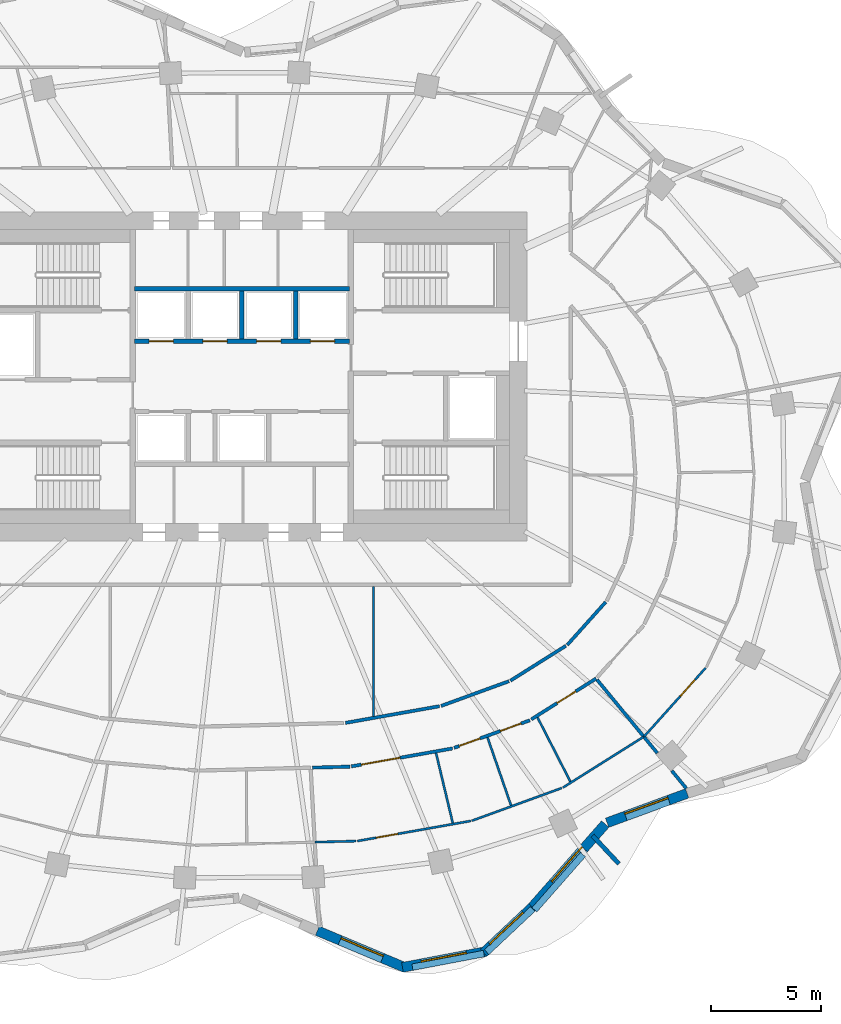
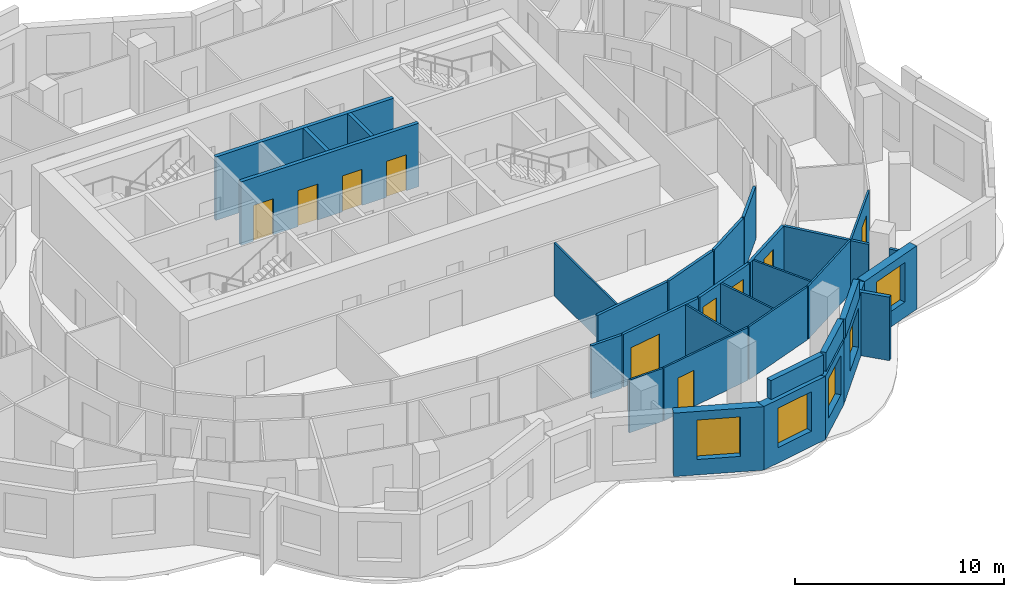
# One storey, part 6 of 11: 32 walls, 10 doors, 5 windows, 15 openings.
"""IFC4 building model written with IfcOpenShell, lengths in metres."""

from ifc_helpers import new_model, si_unit, direction, frame, frame_2d, origin, place, context, subcontext, project, spatial, rectangle, extrude, material, layer, layer_set, type_object, element, fill, save


model = new_model("IFC4")

# Units and contexts
model_context = context("Model", 3, precision=1e-05, world=origin(), true_north=direction((0.0, 1.0)))
body_context = subcontext(model_context, "Body", "Model", "MODEL_VIEW")
ifc_project = project(units=[si_unit("LENGTHUNIT", "METRE"), si_unit("AREAUNIT", "SQUARE_METRE"), si_unit("VOLUMEUNIT", "CUBIC_METRE"), si_unit("PLANEANGLEUNIT", "RADIAN"), si_unit("MASSUNIT", "GRAM", prefix="KILO")], contexts=[model_context])

# Site, building, storey
site_placement = place(None, origin())
site = spatial("IfcSite", under=ifc_project, at=site_placement, CompositionType="ELEMENT")
building_placement = place(site_placement, origin())
building = spatial("IfcBuilding", under=site, at=building_placement, Name="Rubra Terraces Tower", CompositionType="ELEMENT")
storey_placement = place(building_placement, frame((0.0, 0.0, 197.39990234375)))
storey = spatial("IfcBuildingStorey", under=building, at=storey_placement, Name="L48", CompositionType="ELEMENT", Elevation=197.39990234375)

# Wall, opening, window
ifc_material_1 = material(Name="Brick masonry red-brown", Category="masonry")
ifc_layer_1 = layer(ifc_material_1, 0.449951171875)
ifc_layer_set_1 = layer_set([ifc_layer_1], Name="Brick masonry red-brown")
wall_type_1 = type_object("IfcWallType", Name="Brick facade wall 450", PredefinedType="SOLIDWALL", material=ifc_layer_set_1)
wall_1_placement = place(storey_placement, frame((3.44140625, -20.776123046875, 0.0), z_axis=(0.0, 0.0, 1.0), x_axis=(0.921988121387, -0.387218160758, 0.0)))
wall_1 = element("IfcWall", 1, at=wall_1_placement, inside=storey, type_object=wall_type_1, Name="Facade wall L48 bay 32", PredefinedType="SOLIDWALL", context=body_context, shape_type="SweptSolid", body=[
    extrude(rectangle(XDim=4.3466796875, YDim=0.449951171875, at=frame_2d((2.17333984375, 0.0))), origin(), (0.0, 0.0, 1.0), 3.7001953125),
])
opening_1_placement = place(wall_1_placement, frame((1.123291015625, 0.0, 0.89990234375)))
opening_1 = element("IfcOpeningElement", 2, at=opening_1_placement, cuts=wall_1, Name="Opening W1B", PredefinedType="OPENING", context=body_context, shape_type="SweptSolid", body=[
    extrude(rectangle(XDim=2.10009765625, YDim=2.300048828125, at=frame_2d((1.050048828125, 1.14990234375))), frame((0.0, 0.23486328125, 0.0), z_axis=(0.0, -1.0, 0.0), x_axis=(1.0, 0.0, 0.0)), (0.0, 0.0, 1.0), 0.469970703125),
])
ifc_material_2 = material(Name="Clear glass in aluminium frame", Category="aluminium")
window_type = type_object("IfcWindowType", Name="Fixed deep-set window tall storey 2100 x 2300", PartitioningType="SINGLE_PANEL", PredefinedType="WINDOW", material=ifc_material_2)
window_1_placement = place(opening_1_placement, origin())
window_1 = element("IfcWindow", 3, at=window_1_placement, inside=storey, type_object=window_type, Name="Window L48 bay 32", OverallHeight=2.300048828125, OverallWidth=2.10009765625, PartitioningType="SINGLE_PANEL", PredefinedType="WINDOW", context=body_context, shape_type="SweptSolid", body=[
    extrude(rectangle(XDim=2.10009765625, YDim=2.300048828125, at=frame_2d((1.050048828125, 1.14990234375))), frame((0.0, 0.135009765625, 0.0), z_axis=(0.0, -1.0, 0.0), x_axis=(1.0, 0.0, 0.0)), (0.0, 0.0, 1.0), 0.06005859375),
])
fill(opening_1, window_1)

wall_2_placement = place(storey_placement, frame((7.322998046875, -22.447021484375, 0.0), z_axis=(0.0, 0.0, 1.0), x_axis=(0.982420993638, 0.18667884524, 0.0)))
wall_2 = element("IfcWall", 4, at=wall_2_placement, inside=storey, type_object=wall_type_1, Name="Facade wall L48 bay 33", PredefinedType="SOLIDWALL", context=body_context, shape_type="SweptSolid", body=[
    extrude(rectangle(XDim=3.88427734375, YDim=0.449951171875, at=frame_2d((1.942138671875, 0.0))), origin(), (0.0, 0.0, 1.0), 3.7001953125),
])
opening_2_placement = place(wall_2_placement, frame((0.89208984375, 0.0, 0.89990234375)))
opening_2 = element("IfcOpeningElement", 5, at=opening_2_placement, cuts=wall_2, Name="Opening W1B", PredefinedType="OPENING", context=body_context, shape_type="SweptSolid", body=[
    extrude(rectangle(XDim=2.10009765625, YDim=2.300048828125, at=frame_2d((1.050048828125, 1.14990234375))), frame((0.0, 0.23486328125, 0.0), z_axis=(0.0, -1.0, 0.0), x_axis=(1.0, 0.0, 0.0)), (0.0, 0.0, 1.0), 0.469970703125),
])
window_2_placement = place(opening_2_placement, origin())
window_2 = element("IfcWindow", 6, at=window_2_placement, inside=storey, type_object=window_type, Name="Window L48 bay 33", OverallHeight=2.300048828125, OverallWidth=2.10009765625, PartitioningType="SINGLE_PANEL", PredefinedType="WINDOW", context=body_context, shape_type="SweptSolid", body=[
    extrude(rectangle(XDim=2.10009765625, YDim=2.300048828125, at=frame_2d((1.050048828125, 1.14990234375))), frame((0.0, 0.135009765625, 0.0), z_axis=(0.0, -1.0, 0.0), x_axis=(1.0, 0.0, 0.0)), (0.0, 0.0, 1.0), 0.06005859375),
])
fill(opening_2, window_2)

wall_3_placement = place(storey_placement, frame((11.027099609375, -21.779052734375, 0.0), z_axis=(0.0, 0.0, 1.0), x_axis=(0.728871214251, 0.684650825631, 0.0)))
wall_3 = element("IfcWall", 7, at=wall_3_placement, inside=storey, type_object=wall_type_1, Name="Facade wall L48 bay 34", PredefinedType="SOLIDWALL", context=body_context, shape_type="SweptSolid", body=[
    extrude(rectangle(XDim=3.031005859375, YDim=0.449951171875, at=frame_2d((1.515625, 0.0))), origin(), (0.0, 0.0, 1.0), 3.7001953125),
])
opening_3_placement = place(wall_3_placement, frame((0.465576171875, 0.0, 0.89990234375)))
opening_3 = element("IfcOpeningElement", 8, at=opening_3_placement, cuts=wall_3, Name="Opening W1B", PredefinedType="OPENING", context=body_context, shape_type="SweptSolid", body=[
    extrude(rectangle(XDim=2.10009765625, YDim=2.300048828125, at=frame_2d((1.050048828125, 1.14990234375))), frame((0.0, 0.23486328125, 0.0), z_axis=(0.0, -1.0, 0.0), x_axis=(1.0, 0.0, 0.0)), (0.0, 0.0, 1.0), 0.469970703125),
])
window_3_placement = place(opening_3_placement, origin())
window_3 = element("IfcWindow", 9, at=window_3_placement, inside=storey, type_object=window_type, Name="Window L48 bay 34", OverallHeight=2.300048828125, OverallWidth=2.10009765625, PartitioningType="SINGLE_PANEL", PredefinedType="WINDOW", context=body_context, shape_type="SweptSolid", body=[
    extrude(rectangle(XDim=2.10009765625, YDim=2.300048828125, at=frame_2d((1.050048828125, 1.14990234375))), frame((0.0, 0.135009765625, 0.0), z_axis=(0.0, -1.0, 0.0), x_axis=(1.0, 0.0, 0.0)), (0.0, 0.0, 1.0), 0.06005859375),
])
fill(opening_3, window_3)

wall_4_placement = place(storey_placement, frame((13.221435546875, -19.71923828125, 0.0), z_axis=(0.0, 0.0, 1.0), x_axis=(0.660424908916, 0.750892095899, 0.0)))
wall_4 = element("IfcWall", 10, at=wall_4_placement, inside=storey, type_object=wall_type_1, Name="Facade wall L48 bay 35", PredefinedType="SOLIDWALL", context=body_context, shape_type="SweptSolid", body=[
    extrude(rectangle(XDim=5.07080078125, YDim=0.449951171875, at=frame_2d((2.535400390625, 0.0))), origin(), (0.0, 0.0, 1.0), 3.7001953125),
])
opening_4_placement = place(wall_4_placement, frame((1.4853515625, 0.0, 0.89990234375)))
opening_4 = element("IfcOpeningElement", 11, at=opening_4_placement, cuts=wall_4, Name="Opening W1B", PredefinedType="OPENING", context=body_context, shape_type="SweptSolid", body=[
    extrude(rectangle(XDim=2.10009765625, YDim=2.300048828125, at=frame_2d((1.050048828125, 1.14990234375))), frame((0.0, 0.23486328125, 0.0), z_axis=(0.0, -1.0, 0.0), x_axis=(1.0, 0.0, 0.0)), (0.0, 0.0, 1.0), 0.469970703125),
])
window_4_placement = place(opening_4_placement, origin())
window_4 = element("IfcWindow", 12, at=window_4_placement, inside=storey, type_object=window_type, Name="Window L48 bay 35", OverallHeight=2.300048828125, OverallWidth=2.10009765625, PartitioningType="SINGLE_PANEL", PredefinedType="WINDOW", context=body_context, shape_type="SweptSolid", body=[
    extrude(rectangle(XDim=2.10009765625, YDim=2.300048828125, at=frame_2d((1.050048828125, 1.14990234375))), frame((0.0, 0.135009765625, 0.0), z_axis=(0.0, -1.0, 0.0), x_axis=(1.0, 0.0, 0.0)), (0.0, 0.0, 1.0), 0.06005859375),
])
fill(opening_4, window_4)

wall_5_placement = place(storey_placement, frame((16.654052734375, -15.85205078125, 0.0), z_axis=(0.0, 0.0, 1.0), x_axis=(0.938636568132, 0.344907803572, 0.0)))
wall_5 = element("IfcWall", 13, at=wall_5_placement, inside=storey, type_object=wall_type_1, Name="Facade wall L48 bay 36", PredefinedType="SOLIDWALL", context=body_context, shape_type="SweptSolid", body=[
    extrude(rectangle(XDim=3.887451171875, YDim=0.449951171875, at=frame_2d((1.94384765625, 0.0))), origin(), (0.0, 0.0, 1.0), 3.7001953125),
])
opening_5_placement = place(wall_5_placement, frame((0.893798828125, 0.0, 0.89990234375)))
opening_5 = element("IfcOpeningElement", 14, at=opening_5_placement, cuts=wall_5, Name="Opening W1B", PredefinedType="OPENING", context=body_context, shape_type="SweptSolid", body=[
    extrude(rectangle(XDim=2.10009765625, YDim=2.300048828125, at=frame_2d((1.050048828125, 1.14990234375))), frame((0.0, 0.23486328125, 0.0), z_axis=(0.0, -1.0, 0.0), x_axis=(1.0, 0.0, 0.0)), (0.0, 0.0, 1.0), 0.469970703125),
])
window_5_placement = place(opening_5_placement, origin())
window_5 = element("IfcWindow", 15, at=window_5_placement, inside=storey, type_object=window_type, Name="Window L48 bay 36", OverallHeight=2.300048828125, OverallWidth=2.10009765625, PartitioningType="SINGLE_PANEL", PredefinedType="WINDOW", context=body_context, shape_type="SweptSolid", body=[
    extrude(rectangle(XDim=2.10009765625, YDim=2.300048828125, at=frame_2d((1.050048828125, 1.14990234375))), frame((0.0, 0.135009765625, 0.0), z_axis=(0.0, -1.0, 0.0), x_axis=(1.0, 0.0, 0.0)), (0.0, 0.0, 1.0), 0.06005859375),
])
fill(opening_5, window_5)

# Walls
ifc_layer_2 = layer(ifc_material_1, 0.300048828125)
ifc_layer_set_2 = layer_set([ifc_layer_2], Name="Brick masonry red-brown")
wall_type_2 = type_object("IfcWallType", Name="Brick parapet 300", PredefinedType="PARAPET", material=ifc_layer_set_2)
wall_6_placement = place(storey_placement, frame((7.777587890625, -22.43701171875, 3.900146484375), z_axis=(0.0, 0.0, 1.0), x_axis=(0.98241446716, 0.186713188382, 0.0)))
element("IfcWall", 16, at=wall_6_placement, inside=storey, type_object=wall_type_2, Name="Parapet L48 bay 33", PredefinedType="PARAPET", context=body_context, shape_type="SweptSolid", body=[
    extrude(rectangle(XDim=3.318603515625, YDim=0.300048828125, at=frame_2d((1.6591796875, 0.0))), origin(), (0.0, 0.0, 1.0), 1.099853515625),
])
wall_7_placement = place(storey_placement, frame((11.163818359375, -21.75341796875, 3.900146484375), z_axis=(0.0, 0.0, 1.0), x_axis=(0.72886475222, 0.684657704967, 0.0)))
element("IfcWall", 17, at=wall_7_placement, inside=storey, type_object=wall_type_2, Name="Parapet L48 bay 34", PredefinedType="PARAPET", context=body_context, shape_type="SweptSolid", body=[
    extrude(rectangle(XDim=2.877197265625, YDim=0.300048828125, at=frame_2d((1.4384765625, 0.0))), origin(), (0.0, 0.0, 1.0), 1.099853515625),
])
wall_8_placement = place(storey_placement, frame((13.338623046875, -19.822265625, 3.900146484375), z_axis=(0.0, 0.0, 1.0), x_axis=(0.660445690116, 0.7508738179, 0.0)))
element("IfcWall", 18, at=wall_8_placement, inside=storey, type_object=wall_type_2, Name="Parapet L48 bay 35", PredefinedType="PARAPET", context=body_context, shape_type="SweptSolid", body=[
    extrude(rectangle(XDim=3.353271484375, YDim=0.300048828125, at=frame_2d((1.6767578125, 0.0))), origin(), (0.0, 0.0, 1.0), 1.099853515625),
])
ifc_layer_3 = layer(ifc_material_1, 0.199951171875)
ifc_layer_set_3 = layer_set([ifc_layer_3], Name="Brick masonry red-brown")
wall_type_3 = type_object("IfcWallType", Name="Brick wind fin 200", PredefinedType="SOLIDWALL", material=ifc_layer_set_3)
wall_9_placement = place(storey_placement, frame((15.9951171875, -16.444091796875, 0.0), z_axis=(0.0, 0.0, 1.0), x_axis=(0.683852936488, -0.729619874494, 0.0)))
element("IfcWall", 19, at=wall_9_placement, inside=storey, type_object=wall_type_3, Name="Wind fin L48 21", PredefinedType="SOLIDWALL", context=body_context, shape_type="SweptSolid", body=[
    extrude(rectangle(XDim=1.749755859375, YDim=0.199951171875, at=frame_2d((0.875, 0.0))), origin(), (0.0, 0.0, 1.0), 3.7001953125),
])
ifc_material_3 = material(Name="Plasterboard on steel stud, mineral wool infill", Category="steel")
ifc_layer_4 = layer(ifc_material_3, 0.14990234375)
ifc_layer_set_4 = layer_set([ifc_layer_4], Name="Plasterboard on steel stud, mineral wool infill")
wall_type_4 = type_object("IfcWallType", Name="CORRIDOR PARTITION 150", PredefinedType="PARTITIONING", material=ifc_layer_set_4)
wall_10_placement = place(storey_placement, frame((3.210205078125, -13.338623046875, 0.0), z_axis=(0.0, 0.0, 1.0), x_axis=(0.999662941738, 0.025961566124, 0.0)))
element("IfcWall", 20, at=wall_10_placement, inside=storey, type_object=wall_type_4, Name="PARTITION", PredefinedType="PARTITIONING", context=body_context, shape_type="SweptSolid", body=[
    extrude(rectangle(XDim=1.71142578125, YDim=0.14990234375, at=frame_2d((0.855712890625, 0.0))), origin(), (0.0, 0.0, 1.0), 3.083984375),
])

# Wall, opening, door
wall_11_placement = place(storey_placement, frame((4.994873046875, -13.28125, 0.0), z_axis=(0.0, 0.0, 1.0), x_axis=(0.98463411377, 0.174630071865, 0.0)))
wall_11 = element("IfcWall", 21, at=wall_11_placement, inside=storey, type_object=wall_type_4, Name="PARTITION", PredefinedType="PARTITIONING", context=body_context, shape_type="SweptSolid", body=[
    extrude(rectangle(XDim=4.68212890625, YDim=0.14990234375, at=frame_2d((2.341064453125, 0.0))), origin(), (0.0, 0.0, 1.0), 3.083984375),
])
opening_6_placement = place(wall_11_placement, frame((0.449951171875, 0.0, 0.0)))
opening_6 = element("IfcOpeningElement", 22, at=opening_6_placement, cuts=wall_11, Name="Opening 48-124", PredefinedType="OPENING", context=body_context, shape_type="SweptSolid", body=[
    extrude(rectangle(XDim=1.800048828125, YDim=2.10009765625, at=frame_2d((0.89990234375, 1.050048828125))), frame((0.0, 0.0849609375, 0.0), z_axis=(0.0, -1.0, 0.0), x_axis=(1.0, 0.0, 0.0)), (0.0, 0.0, 1.0), 0.169921875),
])
ifc_material_4 = material(Name="Painted timber door leaf, double", Category="wood")
door_type_1 = type_object("IfcDoorType", Name="ROOM DOUBLE DOOR 1800 X 2100", OperationType="DOUBLE_DOOR_SINGLE_SWING", PredefinedType="DOOR", material=ifc_material_4)
door_1_placement = place(opening_6_placement, origin())
door_1 = element("IfcDoor", 23, at=door_1_placement, inside=storey, type_object=door_type_1, Name="DOOR 48-124", OperationType="DOUBLE_DOOR_SINGLE_SWING", OverallHeight=2.10009765625, OverallWidth=1.800048828125, PredefinedType="DOOR", context=body_context, shape_type="SweptSolid", body=[
    extrude(rectangle(XDim=1.800048828125, YDim=2.10009765625, at=frame_2d((0.89990234375, 1.050048828125))), frame((0.0, 0.02490234375, 0.0), z_axis=(0.0, -1.0, 0.0), x_axis=(1.0, 0.0, 0.0)), (0.0, 0.0, 1.0), 0.050048828125),
])
fill(opening_6, door_1)

# Wall, openings, doors
wall_12_placement = place(storey_placement, frame((9.675537109375, -12.43798828125, 0.0), z_axis=(0.0, 0.0, 1.0), x_axis=(0.939640289748, 0.342163887461, 0.0)))
wall_12 = element("IfcWall", 24, at=wall_12_placement, inside=storey, type_object=wall_type_4, Name="PARTITION", PredefinedType="PARTITIONING", context=body_context, shape_type="SweptSolid", body=[
    extrude(rectangle(XDim=3.6796875, YDim=0.14990234375, at=frame_2d((1.83984375, 0.0))), origin(), (0.0, 0.0, 1.0), 3.083984375),
])
opening_7_placement = place(wall_12_placement, frame((0.25, 0.0, 0.0)))
opening_7 = element("IfcOpeningElement", 25, at=opening_7_placement, cuts=wall_12, Name="Opening 48-126", PredefinedType="OPENING", context=body_context, shape_type="SweptSolid", body=[
    extrude(rectangle(XDim=1.0, YDim=2.39990234375, at=frame_2d((0.5, 1.199951171875))), frame((0.0, 0.0849609375, 0.0), z_axis=(0.0, -1.0, 0.0), x_axis=(1.0, 0.0, 0.0)), (0.0, 0.0, 1.0), 0.169921875),
])
opening_8_placement = place(wall_12_placement, frame((2.25, 0.0, 0.0)))
opening_8 = element("IfcOpeningElement", 26, at=opening_8_placement, cuts=wall_12, Name="Opening 48-127", PredefinedType="OPENING", context=body_context, shape_type="SweptSolid", body=[
    extrude(rectangle(XDim=1.0, YDim=2.39990234375, at=frame_2d((0.5, 1.199951171875))), frame((0.0, 0.0849609375, 0.0), z_axis=(0.0, -1.0, 0.0), x_axis=(1.0, 0.0, 0.0)), (0.0, 0.0, 1.0), 0.169921875),
])
ifc_material_5 = material(Name="Glazed aluminium meeting door leaf", Category="aluminium")
door_type_2 = type_object("IfcDoorType", Name="MEETING ROOM GLAZED DOOR 1000 X 2400", OperationType="SINGLE_SWING_LEFT", PredefinedType="DOOR", material=ifc_material_5)
door_2_placement = place(opening_7_placement, origin())
door_2 = element("IfcDoor", 27, at=door_2_placement, inside=storey, type_object=door_type_2, Name="DOOR 48-126", OperationType="SINGLE_SWING_RIGHT", OverallHeight=2.39990234375, OverallWidth=1.0, PredefinedType="DOOR", context=body_context, shape_type="SweptSolid", body=[
    extrude(rectangle(XDim=1.0, YDim=2.39990234375, at=frame_2d((0.5, 1.199951171875))), frame((0.0, 0.02490234375, 0.0), z_axis=(0.0, -1.0, 0.0), x_axis=(1.0, 0.0, 0.0)), (0.0, 0.0, 1.0), 0.050048828125),
])
fill(opening_7, door_2)
door_3_placement = place(opening_8_placement, origin())
door_3 = element("IfcDoor", 28, at=door_3_placement, inside=storey, type_object=door_type_2, Name="DOOR 48-127", OperationType="SINGLE_SWING_RIGHT", OverallHeight=2.39990234375, OverallWidth=1.0, PredefinedType="DOOR", context=body_context, shape_type="SweptSolid", body=[
    extrude(rectangle(XDim=1.0, YDim=2.39990234375, at=frame_2d((0.5, 1.199951171875))), frame((0.0, 0.02490234375, 0.0), z_axis=(0.0, -1.0, 0.0), x_axis=(1.0, 0.0, 0.0)), (0.0, 0.0, 1.0), 0.050048828125),
])
fill(opening_8, door_3)

# Wall, opening, door
wall_13_placement = place(storey_placement, frame((13.196533203125, -11.138916015625, 0.0), z_axis=(0.0, 0.0, 1.0), x_axis=(0.845847451173, 0.533424867572, 0.0)))
wall_13 = element("IfcWall", 29, at=wall_13_placement, inside=storey, type_object=wall_type_4, Name="PARTITION", PredefinedType="PARTITIONING", context=body_context, shape_type="SweptSolid", body=[
    extrude(rectangle(XDim=3.4931640625, YDim=0.14990234375, at=frame_2d((1.74658203125, 0.0))), origin(), (0.0, 0.0, 1.0), 3.083984375),
])
opening_9_placement = place(wall_13_placement, frame((1.39404296875, 0.0, 0.0)))
opening_9 = element("IfcOpeningElement", 30, at=opening_9_placement, cuts=wall_13, Name="Opening 48-128", PredefinedType="OPENING", context=body_context, shape_type="SweptSolid", body=[
    extrude(rectangle(XDim=1.0, YDim=2.39990234375, at=frame_2d((0.5, 1.199951171875))), frame((0.0, 0.0849609375, 0.0), z_axis=(0.0, -1.0, 0.0), x_axis=(1.0, 0.0, 0.0)), (0.0, 0.0, 1.0), 0.169921875),
])
door_4_placement = place(opening_9_placement, origin())
door_4 = element("IfcDoor", 31, at=door_4_placement, inside=storey, type_object=door_type_2, Name="DOOR 48-128", OperationType="SINGLE_SWING_RIGHT", OverallHeight=2.39990234375, OverallWidth=1.0, PredefinedType="DOOR", context=body_context, shape_type="SweptSolid", body=[
    extrude(rectangle(XDim=1.0, YDim=2.39990234375, at=frame_2d((0.5, 1.199951171875))), frame((0.0, 0.02490234375, 0.0), z_axis=(0.0, -1.0, 0.0), x_axis=(1.0, 0.0, 0.0)), (0.0, 0.0, 1.0), 0.050048828125),
])
fill(opening_9, door_4)

# Walls
wall_14_placement = place(storey_placement, frame((16.58740234375, -5.789306640625, 0.0), z_axis=(0.0, 0.0, 1.0), x_axis=(-0.666887460656, -0.745158449472, 0.0)))
element("IfcWall", 32, at=wall_14_placement, inside=storey, type_object=wall_type_4, Name="PARTITION", PredefinedType="PARTITIONING", context=body_context, shape_type="SweptSolid", body=[
    extrude(rectangle(XDim=2.6201171875, YDim=0.14990234375, at=frame_2d((1.31005859375, 0.0))), origin(), (0.0, 0.0, 1.0), 3.083984375),
])
wall_15_placement = place(storey_placement, frame((14.776611328125, -7.781494140625, 0.0), z_axis=(0.0, 0.0, 1.0), x_axis=(-0.846359741043, -0.532611667862, 0.0)))
element("IfcWall", 33, at=wall_15_placement, inside=storey, type_object=wall_type_4, Name="PARTITION", PredefinedType="PARTITIONING", context=body_context, shape_type="SweptSolid", body=[
    extrude(rectangle(XDim=2.9873046875, YDim=0.14990234375, at=frame_2d((1.49365234375, 0.0))), origin(), (0.0, 0.0, 1.0), 3.083984375),
])
wall_16_placement = place(storey_placement, frame((12.177734375, -9.398193359375, 0.0), z_axis=(0.0, 0.0, 1.0), x_axis=(-0.939609240084, -0.342249143093, 0.0)))
element("IfcWall", 34, at=wall_16_placement, inside=storey, type_object=wall_type_4, Name="PARTITION", PredefinedType="PARTITIONING", context=body_context, shape_type="SweptSolid", body=[
    extrude(rectangle(XDim=3.2919921875, YDim=0.14990234375, at=frame_2d((1.64599609375, 0.0))), origin(), (0.0, 0.0, 1.0), 3.083984375),
])
wall_17_placement = place(storey_placement, frame((9.010498046875, -10.5380859375, 0.0), z_axis=(0.0, 0.0, 1.0), x_axis=(-0.984645638575, -0.174565077936, 0.0)))
element("IfcWall", 35, at=wall_17_placement, inside=storey, type_object=wall_type_4, Name="PARTITION", PredefinedType="PARTITIONING", context=body_context, shape_type="SweptSolid", body=[
    extrude(rectangle(XDim=4.35791015625, YDim=0.14990234375, at=frame_2d((2.178955078125, 0.0))), origin(), (0.0, 0.0, 1.0), 3.083984375),
])

# Wall, openings, doors
ifc_material_6 = material(Name="Concrete C30", Category="concrete")
ifc_layer_5 = layer(ifc_material_6, 0.199951171875)
ifc_layer_set_5 = layer_set([ifc_layer_5], Name="Concrete C30")
wall_type_5 = type_object("IfcWallType", Name="Core wall 200 concrete", PredefinedType="SOLIDWALL", material=ifc_layer_set_5)
wall_18_placement = place(storey_placement, frame((-4.89990234375, 6.10009765625, 0.0), z_axis=(0.0, 0.0, 1.0), x_axis=(1.0, 0.0, 0.0)))
wall_18 = element("IfcWall", 36, at=wall_18_placement, inside=storey, type_object=wall_type_5, Name="LIFT SHAFT WALL L48", PredefinedType="SOLIDWALL", context=body_context, shape_type="SweptSolid", body=[
    extrude(rectangle(XDim=9.7998046875, YDim=0.199951171875, at=frame_2d((4.89990234375, 0.0))), origin(), (0.0, 0.0, 1.0), 3.7001953125),
])
opening_10_placement = place(wall_18_placement, frame((0.675048828125, 0.0, 0.0)))
opening_10 = element("IfcOpeningElement", 37, at=opening_10_placement, cuts=wall_18, Name="Opening L48.C17", PredefinedType="OPENING", context=body_context, shape_type="SweptSolid", body=[
    extrude(rectangle(XDim=1.10009765625, YDim=2.10009765625, at=frame_2d((0.550048828125, 1.050048828125))), frame((0.0, 0.10986328125, 0.0), z_axis=(0.0, -1.0, 0.0), x_axis=(1.0, 0.0, 0.0)), (0.0, 0.0, 1.0), 0.219970703125),
])
opening_11_placement = place(wall_18_placement, frame((3.125, 0.0, 0.0)))
opening_11 = element("IfcOpeningElement", 38, at=opening_11_placement, cuts=wall_18, Name="Opening L48.C18", PredefinedType="OPENING", context=body_context, shape_type="SweptSolid", body=[
    extrude(rectangle(XDim=1.10009765625, YDim=2.10009765625, at=frame_2d((0.550048828125, 1.050048828125))), frame((0.0, 0.10986328125, 0.0), z_axis=(0.0, -1.0, 0.0), x_axis=(1.0, 0.0, 0.0)), (0.0, 0.0, 1.0), 0.219970703125),
])
opening_12_placement = place(wall_18_placement, frame((5.574951171875, 0.0, 0.0)))
opening_12 = element("IfcOpeningElement", 39, at=opening_12_placement, cuts=wall_18, Name="Opening L48.C19", PredefinedType="OPENING", context=body_context, shape_type="SweptSolid", body=[
    extrude(rectangle(XDim=1.10009765625, YDim=2.10009765625, at=frame_2d((0.550048828125, 1.050048828125))), frame((0.0, 0.10986328125, 0.0), z_axis=(0.0, -1.0, 0.0), x_axis=(1.0, 0.0, 0.0)), (0.0, 0.0, 1.0), 0.219970703125),
])
opening_13_placement = place(wall_18_placement, frame((8.02490234375, 0.0, 0.0)))
opening_13 = element("IfcOpeningElement", 40, at=opening_13_placement, cuts=wall_18, Name="Opening L48.C20", PredefinedType="OPENING", context=body_context, shape_type="SweptSolid", body=[
    extrude(rectangle(XDim=1.10009765625, YDim=2.10009765625, at=frame_2d((0.550048828125, 1.050048828125))), frame((0.0, 0.10986328125, 0.0), z_axis=(0.0, -1.0, 0.0), x_axis=(1.0, 0.0, 0.0)), (0.0, 0.0, 1.0), 0.219970703125),
])
ifc_material_7 = material(Name="Stainless steel", Category="steel")
door_type_3 = type_object("IfcDoorType", Name="Lift landing door 1100x2100", OperationType="NOTDEFINED", PredefinedType="DOOR", material=ifc_material_7)
door_5_placement = place(opening_10_placement, origin())
door_5 = element("IfcDoor", 41, at=door_5_placement, inside=storey, type_object=door_type_3, Name="Landing door HB3", OperationType="SLIDING_TO_RIGHT", OverallHeight=2.10009765625, OverallWidth=1.10009765625, PredefinedType="DOOR", context=body_context, shape_type="SweptSolid", body=[
    extrude(rectangle(XDim=1.10009765625, YDim=2.10009765625, at=frame_2d((0.550048828125, 1.050048828125))), frame((0.0, 0.02490234375, 0.0), z_axis=(0.0, -1.0, 0.0), x_axis=(1.0, 0.0, 0.0)), (0.0, 0.0, 1.0), 0.050048828125),
])
fill(opening_10, door_5)
door_6_placement = place(opening_11_placement, origin())
door_6 = element("IfcDoor", 42, at=door_6_placement, inside=storey, type_object=door_type_3, Name="Landing door HB4", OperationType="SLIDING_TO_LEFT", OverallHeight=2.10009765625, OverallWidth=1.10009765625, PredefinedType="DOOR", context=body_context, shape_type="SweptSolid", body=[
    extrude(rectangle(XDim=1.10009765625, YDim=2.10009765625, at=frame_2d((0.550048828125, 1.050048828125))), frame((0.0, 0.02490234375, 0.0), z_axis=(0.0, -1.0, 0.0), x_axis=(1.0, 0.0, 0.0)), (0.0, 0.0, 1.0), 0.050048828125),
])
fill(opening_11, door_6)
door_7_placement = place(opening_12_placement, origin())
door_7 = element("IfcDoor", 43, at=door_7_placement, inside=storey, type_object=door_type_3, Name="Landing door HB5", OperationType="SLIDING_TO_RIGHT", OverallHeight=2.10009765625, OverallWidth=1.10009765625, PredefinedType="DOOR", context=body_context, shape_type="SweptSolid", body=[
    extrude(rectangle(XDim=1.10009765625, YDim=2.10009765625, at=frame_2d((0.550048828125, 1.050048828125))), frame((0.0, 0.02490234375, 0.0), z_axis=(0.0, -1.0, 0.0), x_axis=(1.0, 0.0, 0.0)), (0.0, 0.0, 1.0), 0.050048828125),
])
fill(opening_12, door_7)
door_8_placement = place(opening_13_placement, origin())
door_8 = element("IfcDoor", 44, at=door_8_placement, inside=storey, type_object=door_type_3, Name="Landing door HB6", OperationType="SLIDING_TO_LEFT", OverallHeight=2.10009765625, OverallWidth=1.10009765625, PredefinedType="DOOR", context=body_context, shape_type="SweptSolid", body=[
    extrude(rectangle(XDim=1.10009765625, YDim=2.10009765625, at=frame_2d((0.550048828125, 1.050048828125))), frame((0.0, 0.02490234375, 0.0), z_axis=(0.0, -1.0, 0.0), x_axis=(1.0, 0.0, 0.0)), (0.0, 0.0, 1.0), 0.050048828125),
])
fill(opening_13, door_8)

# Walls
wall_19_placement = place(storey_placement, frame((-4.89990234375, 8.5, 0.0), z_axis=(0.0, 0.0, 1.0), x_axis=(1.0, 0.0, 0.0)))
element("IfcWall", 45, at=wall_19_placement, inside=storey, type_object=wall_type_5, Name="LIFT SHAFT WALL L48", PredefinedType="SOLIDWALL", context=body_context, shape_type="SweptSolid", body=[
    extrude(rectangle(XDim=9.7998046875, YDim=0.199951171875, at=frame_2d((4.89990234375, 0.0))), origin(), (0.0, 0.0, 1.0), 3.7001953125),
])
for number, where, z_axis, x_axis, name in (
    (46, (0.0, 6.199951171875, 0.0), (0.0, 0.0, 1.0), (0.0, 1.0, 0.0), "LIFT SHAFT WALL L48"),
    (47, (2.449951171875, 6.199951171875, 0.0), (0.0, 0.0, 1.0), (0.0, 1.0, 0.0), "LIFT SHAFT WALL L48"),
):
    element("IfcWall", number, at=place(storey_placement, frame(where, z_axis=z_axis, x_axis=x_axis)), inside=storey, type_object=wall_type_5, Name=name, PredefinedType="SOLIDWALL", context=body_context, shape_type="SweptSolid", body=[
        extrude(rectangle(XDim=2.199951171875, YDim=0.199951171875, at=frame_2d((1.10009765625, 0.0))), origin(), (0.0, 0.0, 1.0), 3.7001953125),
    ])
ifc_material_8 = material(Name="Plasterboard on steel stud", Category="steel")
ifc_layer_6 = layer(ifc_material_8, 0.10009765625)
ifc_layer_set_6 = layer_set([ifc_layer_6], Name="Plasterboard on steel stud")
wall_type_6 = type_object("IfcWallType", Name="ROOM PARTITION 100", PredefinedType="PARTITIONING", material=ifc_layer_set_6)
wall_20_placement = place(storey_placement, frame((18.3115234375, -11.9375, 0.0), z_axis=(0.0, 0.0, 1.0), x_axis=(-0.846383069278, -0.532574595752, 0.0)))
element("IfcWall", 48, at=wall_20_placement, inside=storey, type_object=wall_type_6, Name="PARTITION", PredefinedType="PARTITIONING", context=body_context, shape_type="SweptSolid", body=[
    extrude(rectangle(XDim=4.34130859375, YDim=0.10009765625, at=frame_2d((2.170654296875, 0.0))), origin(), (0.0, 0.0, 1.0), 3.083984375),
])
wall_21_placement = place(storey_placement, frame((14.590087890625, -14.2666015625, 0.0), z_axis=(0.0, 0.0, 1.0), x_axis=(-0.939623405418, -0.342210251148, 0.0)))
element("IfcWall", 49, at=wall_21_placement, inside=storey, type_object=wall_type_6, Name="PARTITION", PredefinedType="PARTITIONING", context=body_context, shape_type="SweptSolid", body=[
    extrude(rectangle(XDim=4.36328125, YDim=0.10009765625, at=frame_2d((2.181640625, 0.0))), origin(), (0.0, 0.0, 1.0), 3.083984375),
])

# Wall, opening, door
wall_22_placement = place(storey_placement, frame((10.441162109375, -15.7685546875, 0.0), z_axis=(0.0, 0.0, 1.0), x_axis=(-0.984642067447, -0.174585219919, 0.0)))
wall_22 = element("IfcWall", 50, at=wall_22_placement, inside=storey, type_object=wall_type_6, Name="PARTITION", PredefinedType="PARTITIONING", context=body_context, shape_type="SweptSolid", body=[
    extrude(rectangle(XDim=5.258056640625, YDim=0.10009765625, at=frame_2d((2.62890625, 0.0))), origin(), (0.0, 0.0, 1.0), 3.083984375),
])
opening_14_placement = place(wall_22_placement, frame((3.385009765625, 0.0, 0.0)))
opening_14 = element("IfcOpeningElement", 51, at=opening_14_placement, cuts=wall_22, Name="Opening 48-125", PredefinedType="OPENING", context=body_context, shape_type="SweptSolid", body=[
    extrude(rectangle(XDim=1.0, YDim=2.10009765625, at=frame_2d((0.5, 1.050048828125))), frame((0.0, 0.06005859375, 0.0), z_axis=(0.0, -1.0, 0.0), x_axis=(1.0, 0.0, 0.0)), (0.0, 0.0, 1.0), 0.1201171875),
])
ifc_material_9 = material(Name="Painted timber door leaf", Category="wood")
door_type_4 = type_object("IfcDoorType", Name="ROOM DOOR 1000 X 2100", OperationType="SINGLE_SWING_LEFT", PredefinedType="DOOR", material=ifc_material_9)
door_9_placement = place(opening_14_placement, origin())
door_9 = element("IfcDoor", 52, at=door_9_placement, inside=storey, type_object=door_type_4, Name="DOOR 48-125", OperationType="SINGLE_SWING_LEFT", OverallHeight=2.10009765625, OverallWidth=1.0, PredefinedType="DOOR", context=body_context, shape_type="SweptSolid", body=[
    extrude(rectangle(XDim=1.0, YDim=2.10009765625, at=frame_2d((0.5, 1.050048828125))), frame((0.0, 0.02490234375, 0.0), z_axis=(0.0, -1.0, 0.0), x_axis=(1.0, 0.0, 0.0)), (0.0, 0.0, 1.0), 0.050048828125),
])
fill(opening_14, door_9)

# Walls
wall_23_placement = place(storey_placement, frame((5.2138671875, -16.687744140625, 0.0), z_axis=(0.0, 0.0, 1.0), x_axis=(-0.99966341664, -0.025943273332, 0.0)))
element("IfcWall", 53, at=wall_23_placement, inside=storey, type_object=wall_type_6, Name="PARTITION", PredefinedType="PARTITIONING", context=body_context, shape_type="SweptSolid", body=[
    extrude(rectangle(XDim=1.872802734375, YDim=0.10009765625, at=frame_2d((0.9365234375, 0.0))), origin(), (0.0, 0.0, 1.0), 3.083984375),
])
wall_24_placement = place(storey_placement, frame((8.85400390625, -12.6728515625, 0.0), z_axis=(0.0, 0.0, 1.0), x_axis=(0.23231460878, -0.972640695502, 0.0)))
element("IfcWall", 54, at=wall_24_placement, inside=storey, type_object=wall_type_6, Name="PARTITION", PredefinedType="PARTITIONING", context=body_context, shape_type="SweptSolid", body=[
    extrude(rectangle(XDim=3.281005859375, YDim=0.10009765625, at=frame_2d((1.640625, 0.0))), origin(), (0.0, 0.0, 1.0), 3.083984375),
])
wall_25_placement = place(storey_placement, frame((11.201416015625, -11.962158203125, 0.0), z_axis=(0.0, 0.0, 1.0), x_axis=(0.32685198031, -0.945075543524, 0.0)))
element("IfcWall", 55, at=wall_25_placement, inside=storey, type_object=wall_type_6, Name="PARTITION", PredefinedType="PARTITIONING", context=body_context, shape_type="SweptSolid", body=[
    extrude(rectangle(XDim=3.275390625, YDim=0.10009765625, at=frame_2d((1.6376953125, 0.0))), origin(), (0.0, 0.0, 1.0), 3.083984375),
])
wall_26_placement = place(storey_placement, frame((13.480712890625, -11.04833984375, 0.0), z_axis=(0.0, 0.0, 1.0), x_axis=(0.455538746767, -0.890215957054, 0.0)))
element("IfcWall", 56, at=wall_26_placement, inside=storey, type_object=wall_type_6, Name="PARTITION", PredefinedType="PARTITIONING", context=body_context, shape_type="SweptSolid", body=[
    extrude(rectangle(XDim=3.28857421875, YDim=0.10009765625, at=frame_2d((1.644287109375, 0.0))), origin(), (0.0, 0.0, 1.0), 3.083984375),
])

# Wall, opening, door
wall_27_placement = place(storey_placement, frame((21.1494140625, -8.789306640625, 0.0), z_axis=(0.0, 0.0, 1.0), x_axis=(-0.667605024822, -0.744515635049, 0.0)))
wall_27 = element("IfcWall", 57, at=wall_27_placement, inside=storey, type_object=wall_type_6, Name="PARTITION", PredefinedType="PARTITIONING", context=body_context, shape_type="SweptSolid", body=[
    extrude(rectangle(XDim=4.19970703125, YDim=0.10009765625, at=frame_2d((2.099853515625, 0.0))), origin(), (0.0, 0.0, 1.0), 3.083984375),
])
opening_15_placement = place(wall_27_placement, frame((0.73291015625, 0.0, 0.0)))
opening_15 = element("IfcOpeningElement", 58, at=opening_15_placement, cuts=wall_27, Name="Opening 48-130", PredefinedType="OPENING", context=body_context, shape_type="SweptSolid", body=[
    extrude(rectangle(XDim=1.0, YDim=2.10009765625, at=frame_2d((0.5, 1.050048828125))), frame((0.0, 0.06005859375, 0.0), z_axis=(0.0, -1.0, 0.0), x_axis=(1.0, 0.0, 0.0)), (0.0, 0.0, 1.0), 0.1201171875),
])
door_10_placement = place(opening_15_placement, origin())
door_10 = element("IfcDoor", 59, at=door_10_placement, inside=storey, type_object=door_type_4, Name="DOOR 48-130", OperationType="SINGLE_SWING_LEFT", OverallHeight=2.10009765625, OverallWidth=1.0, PredefinedType="DOOR", context=body_context, shape_type="SweptSolid", body=[
    extrude(rectangle(XDim=1.0, YDim=2.10009765625, at=frame_2d((0.5, 1.050048828125))), frame((0.0, 0.02490234375, 0.0), z_axis=(0.0, -1.0, 0.0), x_axis=(1.0, 0.0, 0.0)), (0.0, 0.0, 1.0), 0.050048828125),
])
fill(opening_15, door_10)

# Walls
wall_28_placement = place(storey_placement, frame((6.0, -10.996826171875, 0.0), z_axis=(0.0, 0.0, 1.0), x_axis=(0.0, 1.0, 0.0)))
element("IfcWall", 60, at=wall_28_placement, inside=storey, type_object=wall_type_6, Name="PARTITION", PredefinedType="PARTITIONING", context=body_context, shape_type="SweptSolid", body=[
    extrude(rectangle(XDim=5.921875, YDim=0.10009765625, at=frame_2d((2.9609375, 0.0))), origin(), (0.0, 0.0, 1.0), 3.083984375),
])
ifc_layer_7 = layer(ifc_material_8, 0.14990234375)
ifc_layer_set_7 = layer_set([ifc_layer_7], Name="Plasterboard on steel stud")
wall_type_7 = type_object("IfcWallType", Name="ROOM PARTITION 150", PredefinedType="PARTITIONING", material=ifc_layer_set_7)
wall_29_placement = place(storey_placement, frame((20.263916015625, -14.28271484375, 0.0), z_axis=(0.0, 0.0, 1.0), x_axis=(-0.634834544887, 0.77264810918, 0.0)))
element("IfcWall", 61, at=wall_29_placement, inside=storey, type_object=wall_type_7, Name="PARTITION", PredefinedType="PARTITIONING", context=body_context, shape_type="SweptSolid", body=[
    extrude(rectangle(XDim=1.039794921875, YDim=0.14990234375, at=frame_2d((0.52001953125, 0.0))), origin(), (0.0, 0.0, 1.0), 3.083984375),
])
wall_30_placement = place(storey_placement, frame((18.943115234375, -12.6748046875, 0.0), z_axis=(0.0, 0.0, 1.0), x_axis=(-0.634730994321, 0.772733178301, 0.0)))
element("IfcWall", 62, at=wall_30_placement, inside=storey, type_object=wall_type_7, Name="PARTITION", PredefinedType="PARTITIONING", context=body_context, shape_type="SweptSolid", body=[
    extrude(rectangle(XDim=4.32373046875, YDim=0.14990234375, at=frame_2d((2.161865234375, 0.0))), origin(), (0.0, 0.0, 1.0), 3.083984375),
])

save(model, "model.ifc")
